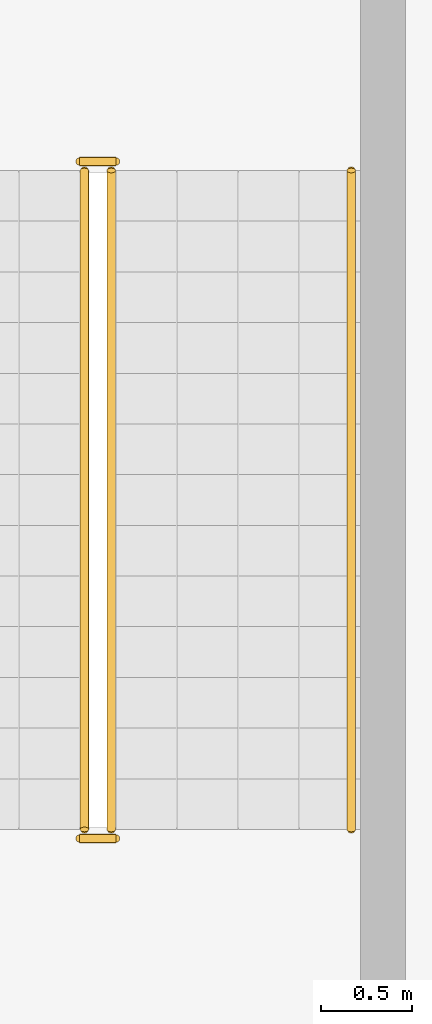
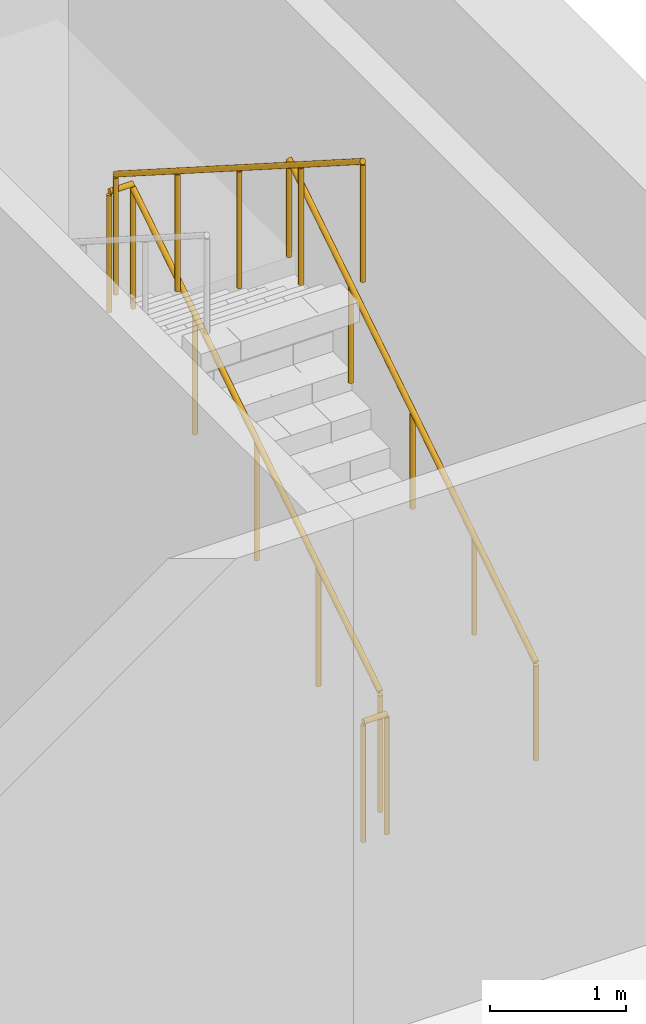
# One storey, part 17 of 17: 5 railings.
"""IFC4 building model written with IfcOpenShell, lengths in metres."""

from ifc_helpers import new_model, si_unit, direction, frame, origin, origin_2d, place, context, subcontext, project, spatial, circle, extrude, material, type_object, element, save


model = new_model("IFC4")

# Units and contexts
model_context = context("Model", 3, precision=1e-05, world=origin(), true_north=direction((0.0, 1.0)))
body_context = subcontext(model_context, "Body", "Model", "MODEL_VIEW")
ifc_project = project(units=[si_unit("LENGTHUNIT", "METRE"), si_unit("AREAUNIT", "SQUARE_METRE"), si_unit("VOLUMEUNIT", "CUBIC_METRE"), si_unit("PLANEANGLEUNIT", "RADIAN"), si_unit("MASSUNIT", "GRAM", prefix="KILO")], contexts=[model_context])

# Site, building, storey
site_placement = place(None, origin())
site = spatial("IfcSite", under=ifc_project, at=site_placement, CompositionType="ELEMENT")
building_placement = place(site_placement, origin())
building = spatial("IfcBuilding", under=site, at=building_placement, Name="Cantera Rosa Tower", CompositionType="ELEMENT")
storey_placement = place(building_placement, frame((0.0, 0.0, 27.0)))
storey = spatial("IfcBuildingStorey", under=building, at=storey_placement, Name="L04", CompositionType="ELEMENT", Elevation=27.0)

# Railings
ifc_material_1 = material(Name="Steel S355J2 (EN 10025-2)", Category="steel")
railing_type_1 = type_object("IfcRailingType", Name="STAIR GUARD 1100", PredefinedType="GUARDRAIL", material=ifc_material_1)
railing_1_placement = place(storey_placement, frame((30.799072265625, 21.125, 0.178466796875)))
element("IfcRailing", 1, at=railing_1_placement, inside=storey, type_object=railing_type_1, Name="L04 ST-NE stair guard 1", PredefinedType="GUARDRAIL", context=body_context, shape_type="SweptSolid", body=[
    extrude(circle(Radius=0.02392578125, at=origin_2d()), frame((0.0, 0.0, 1.076171875), z_axis=(0.0, 0.843111507901, 0.53773877045), x_axis=(-1.0, 0.0, 0.0)), (0.0, 0.0, 1.0), 4.317138671875),
    extrude(circle(Radius=0.02099609375, at=origin_2d()), origin(), (0.0, 0.0, 1.0), 1.052001953125),
    extrude(circle(Radius=0.02099609375, at=origin_2d()), frame((0.0, 0.909912109375, 0.580322265625)), (0.0, 0.0, 1.0), 1.052001953125),
    extrude(circle(Radius=0.02099609375, at=origin_2d()), frame((0.0, 1.81982421875, 1.16064453125)), (0.0, 0.0, 1.0), 1.052001953125),
    extrude(circle(Radius=0.02099609375, at=origin_2d()), frame((0.0, 2.72998046875, 1.7412109375)), (0.0, 0.0, 1.0), 1.052001953125),
    extrude(circle(Radius=0.02099609375, at=origin_2d()), frame((0.0, 3.639892578125, 2.321533203125)), (0.0, 0.0, 1.0), 1.052001953125),
])
railing_2_placement = place(storey_placement, frame((30.824951171875, 24.81494140625, 2.5)))
element("IfcRailing", 2, at=railing_2_placement, inside=storey, type_object=railing_type_1, Name="L04 ST-NE stair guard 2", PredefinedType="GUARDRAIL", context=body_context, shape_type="SweptSolid", body=[
    extrude(circle(Radius=0.02392578125, at=origin_2d()), frame((0.0, 0.0, 1.076171875), z_axis=(-1.0, 0.0, 0.0), x_axis=(0.0, -1.0, 0.0)), (0.0, 0.0, 1.0), 0.199951171875),
    extrude(circle(Radius=0.02099609375, at=origin_2d()), origin(), (0.0, 0.0, 1.0), 1.052001953125),
    extrude(circle(Radius=0.02099609375, at=origin_2d()), frame((-0.199951171875, 0.0, 0.0)), (0.0, 0.0, 1.0), 1.052001953125),
])
railing_3_placement = place(storey_placement, frame((30.65087890625, 24.764892578125, 2.678466796875)))
element("IfcRailing", 3, at=railing_3_placement, inside=storey, type_object=railing_type_1, Name="L04 ST-NE stair guard 3", PredefinedType="GUARDRAIL", context=body_context, shape_type="SweptSolid", body=[
    extrude(circle(Radius=0.02392578125, at=origin_2d()), frame((0.0, 0.0, 1.076171875), z_axis=(0.0, -0.843111507901, 0.53773877045), x_axis=(1.0, 0.0, 0.0)), (0.0, 0.0, 1.0), 4.317138671875),
    extrude(circle(Radius=0.02099609375, at=origin_2d()), origin(), (0.0, 0.0, 1.0), 1.052001953125),
    extrude(circle(Radius=0.02099609375, at=origin_2d()), frame((0.0, -0.909912109375, 0.580322265625)), (0.0, 0.0, 1.0), 1.052001953125),
    extrude(circle(Radius=0.02099609375, at=origin_2d()), frame((0.0, -1.81982421875, 1.16064453125)), (0.0, 0.0, 1.0), 1.052001953125),
    extrude(circle(Radius=0.02099609375, at=origin_2d()), frame((0.0, -2.72998046875, 1.7412109375)), (0.0, 0.0, 1.0), 1.052001953125),
    extrude(circle(Radius=0.02099609375, at=origin_2d()), frame((0.0, -3.639892578125, 2.321533203125)), (0.0, 0.0, 1.0), 1.052001953125),
])
railing_4_placement = place(storey_placement, frame((30.824951171875, 21.074951171875, 0.0)))
element("IfcRailing", 4, at=railing_4_placement, inside=storey, type_object=railing_type_1, Name="L04 ST-NE stair guard 4", PredefinedType="GUARDRAIL", context=body_context, shape_type="SweptSolid", body=[
    extrude(circle(Radius=0.02392578125, at=origin_2d()), frame((0.0, 0.0, 1.076171875), z_axis=(-1.0, 0.0, 0.0), x_axis=(0.0, -1.0, 0.0)), (0.0, 0.0, 1.0), 0.199951171875),
    extrude(circle(Radius=0.02099609375, at=origin_2d()), origin(), (0.0, 0.0, 1.0), 1.052001953125),
    extrude(circle(Radius=0.02099609375, at=origin_2d()), frame((-0.199951171875, 0.0, 0.0)), (0.0, 0.0, 1.0), 1.052001953125),
])
ifc_material_2 = material(Name="Steel S355J2 (EN 10025-2)", Category="steel")
railing_type_2 = type_object("IfcRailingType", Name="STAIR HANDRAIL 900", PredefinedType="HANDRAIL", material=ifc_material_2)
railing_5_placement = place(storey_placement, frame((32.125, 21.125, 0.178466796875)))
element("IfcRailing", 5, at=railing_5_placement, inside=storey, type_object=railing_type_2, Name="L04 ST-NE stair handrail 1", PredefinedType="HANDRAIL", context=body_context, shape_type="SweptSolid", body=[
    extrude(circle(Radius=0.02392578125, at=origin_2d()), frame((0.0, 0.0, 0.8759765625), z_axis=(0.0, 0.843111507901, 0.53773877045), x_axis=(-1.0, 0.0, 0.0)), (0.0, 0.0, 1.0), 4.317138671875),
    extrude(circle(Radius=0.02099609375, at=origin_2d()), origin(), (0.0, 0.0, 1.0), 0.851806640625),
    extrude(circle(Radius=0.02099609375, at=origin_2d()), frame((0.0, 0.909912109375, 0.580322265625)), (0.0, 0.0, 1.0), 0.851806640625),
    extrude(circle(Radius=0.02099609375, at=origin_2d()), frame((0.0, 1.81982421875, 1.16064453125)), (0.0, 0.0, 1.0), 0.851806640625),
    extrude(circle(Radius=0.02099609375, at=origin_2d()), frame((0.0, 2.72998046875, 1.7412109375)), (0.0, 0.0, 1.0), 0.851806640625),
    extrude(circle(Radius=0.02099609375, at=origin_2d()), frame((0.0, 3.639892578125, 2.321533203125)), (0.0, 0.0, 1.0), 0.851806640625),
])

save(model, "model.ifc")
